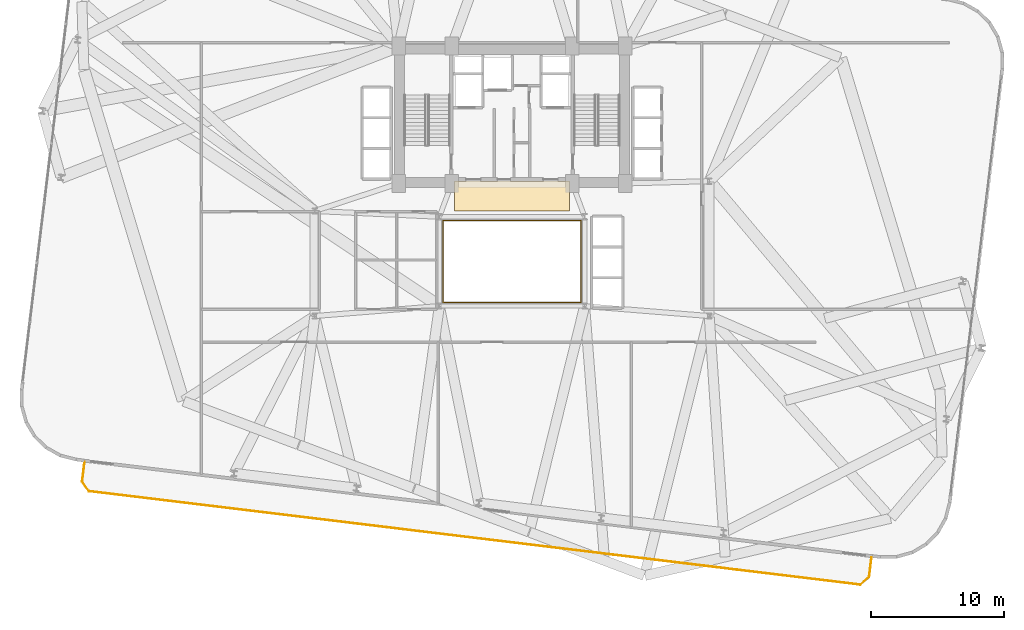
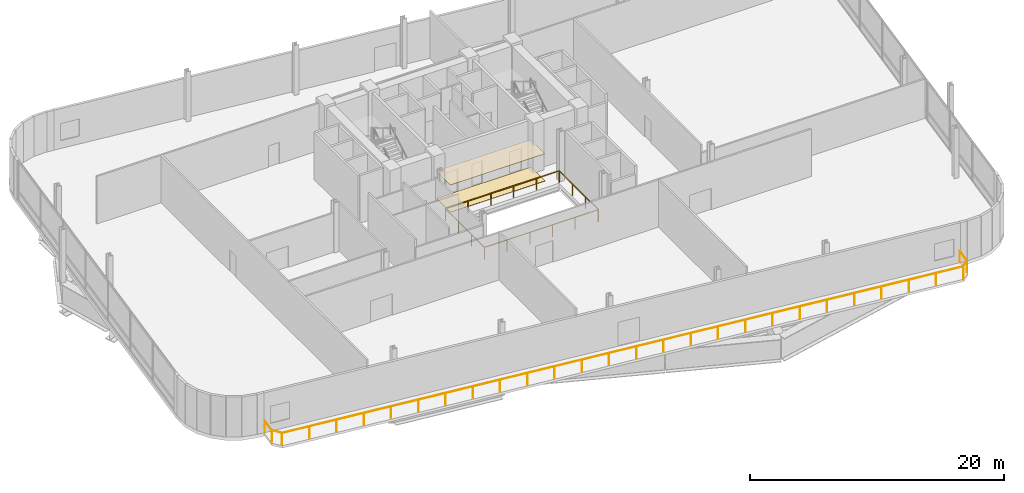
# One storey, part 20 of 22: 3 railings, 2 coverings.
"""IFC4 building model written with IfcOpenShell, lengths in metres."""

from ifc_helpers import new_model, si_unit, direction, frame, origin, origin_2d, place, context, subcontext, project, spatial, rectangle, circle, extrude, source, transform, mapped, material, layer, layer_set, type_object, element, save


model = new_model("IFC4")

# Units and contexts
model_context = context("Model", 3, precision=1e-05, world=origin(), true_north=direction((0.0, 1.0)))
body_context = subcontext(model_context, "Body", "Model", "MODEL_VIEW")
ifc_project = project(units=[si_unit("LENGTHUNIT", "METRE"), si_unit("AREAUNIT", "SQUARE_METRE"), si_unit("VOLUMEUNIT", "CUBIC_METRE"), si_unit("PLANEANGLEUNIT", "RADIAN"), si_unit("MASSUNIT", "GRAM", prefix="KILO")], contexts=[model_context])

# Site, building, storey
site_placement = place(None, origin())
site = spatial("IfcSite", under=ifc_project, at=site_placement, CompositionType="ELEMENT")
building_placement = place(site_placement, origin())
building = spatial("IfcBuilding", under=site, at=building_placement, Name="Varnelok Gate Tower", CompositionType="ELEMENT")
storey_placement = place(building_placement, frame((0.0, 0.0, 116.89990234375)))
storey = spatial("IfcBuildingStorey", under=building, at=storey_placement, Name="L29", CompositionType="ELEMENT", Elevation=116.89990234375)

# Railings
ifc_material_1 = material(Name="Tempered Laminated Balustrade Glass", Category="glass")
railing_type_1 = type_object("IfcRailingType", Name="RL-ATR-GUARD1150", PredefinedType="GUARDRAIL", material=ifc_material_1)
railing_1_placement = place(storey_placement, frame((34.02001953125, 25.929931640625, 0.0)))
element("IfcRailing", 1, at=railing_1_placement, inside=storey, type_object=railing_type_1, Name="L29 Internal Atrium South-West Guardrail", PredefinedType="GUARDRAIL", context=body_context, shape_type="SweptSolid", body=[
    extrude(circle(Radius=0.02392578125, at=origin_2d()), frame((0.0, 0.0, 1.1259765625), z_axis=(0.0, -1.0, 0.0), x_axis=(1.0, 0.0, 0.0)), (0.0, 0.0, 1.0), 6.10986328125),
    extrude(circle(Radius=0.02392578125, at=origin_2d()), frame((0.0, -6.10986328125, 1.1259765625), z_axis=(1.0, 0.0, 0.0), x_axis=(0.0, 1.0, 0.0)), (0.0, 0.0, 1.0), 10.31005859375),
    extrude(circle(Radius=0.02099609375, at=origin_2d()), origin(), (0.0, 0.0, 1.0), 1.101806640625),
    extrude(circle(Radius=0.02099609375, at=origin_2d()), frame((0.0, -2.03662109375, 0.0)), (0.0, 0.0, 1.0), 1.101806640625),
    extrude(circle(Radius=0.02099609375, at=origin_2d()), frame((0.0, -4.0732421875, 0.0)), (0.0, 0.0, 1.0), 1.101806640625),
    extrude(circle(Radius=0.02099609375, at=origin_2d()), frame((0.0, -6.10986328125, 0.0)), (0.0, 0.0, 1.0), 1.101806640625),
    extrude(circle(Radius=0.02099609375, at=origin_2d()), frame((2.06201171875, -6.10986328125, 0.0)), (0.0, 0.0, 1.0), 1.101806640625),
    extrude(circle(Radius=0.02099609375, at=origin_2d()), frame((4.1240234375, -6.10986328125, 0.0)), (0.0, 0.0, 1.0), 1.101806640625),
    extrude(circle(Radius=0.02099609375, at=origin_2d()), frame((6.18603515625, -6.10986328125, 0.0)), (0.0, 0.0, 1.0), 1.101806640625),
    extrude(circle(Radius=0.02099609375, at=origin_2d()), frame((8.248046875, -6.10986328125, 0.0)), (0.0, 0.0, 1.0), 1.101806640625),
    extrude(circle(Radius=0.02099609375, at=origin_2d()), frame((10.31005859375, -6.10986328125, 0.0)), (0.0, 0.0, 1.0), 1.101806640625),
])
railing_2_placement = place(storey_placement, frame((44.3798828125, 19.820068359375, 0.0)))
element("IfcRailing", 2, at=railing_2_placement, inside=storey, type_object=railing_type_1, Name="L29 Internal Atrium North-East Guardrail", PredefinedType="GUARDRAIL", context=body_context, shape_type="SweptSolid", body=[
    extrude(circle(Radius=0.02392578125, at=origin_2d()), frame((0.0, 0.0, 1.1259765625), z_axis=(0.0, 1.0, 0.0), x_axis=(-1.0, 0.0, 0.0)), (0.0, 0.0, 1.0), 6.159912109375),
    extrude(circle(Radius=0.02392578125, at=origin_2d()), frame((0.0, 6.159912109375, 1.1259765625), z_axis=(-1.0, 0.0, 0.0), x_axis=(0.0, -1.0, 0.0)), (0.0, 0.0, 1.0), 10.35986328125),
    extrude(circle(Radius=0.02099609375, at=origin_2d()), origin(), (0.0, 0.0, 1.0), 1.101806640625),
    extrude(circle(Radius=0.02099609375, at=origin_2d()), frame((0.0, 2.05322265625, 0.0)), (0.0, 0.0, 1.0), 1.101806640625),
    extrude(circle(Radius=0.02099609375, at=origin_2d()), frame((0.0, 4.106689453125, 0.0)), (0.0, 0.0, 1.0), 1.101806640625),
    extrude(circle(Radius=0.02099609375, at=origin_2d()), frame((0.0, 6.159912109375, 0.0)), (0.0, 0.0, 1.0), 1.101806640625),
    extrude(circle(Radius=0.02099609375, at=origin_2d()), frame((-2.072021484375, 6.159912109375, 0.0)), (0.0, 0.0, 1.0), 1.101806640625),
    extrude(circle(Radius=0.02099609375, at=origin_2d()), frame((-4.14404296875, 6.159912109375, 0.0)), (0.0, 0.0, 1.0), 1.101806640625),
    extrude(circle(Radius=0.02099609375, at=origin_2d()), frame((-6.2158203125, 6.159912109375, 0.0)), (0.0, 0.0, 1.0), 1.101806640625),
    extrude(circle(Radius=0.02099609375, at=origin_2d()), frame((-8.287841796875, 6.159912109375, 0.0)), (0.0, 0.0, 1.0), 1.101806640625),
    extrude(circle(Radius=0.02099609375, at=origin_2d()), frame((-10.35986328125, 6.159912109375, 0.0)), (0.0, 0.0, 1.0), 1.101806640625),
])
ifc_material_2 = material(Name="Anodized Aluminum Alloy 6063-T6", Category="aluminium")
railing_type_2 = type_object("IfcRailingType", Name="RL-SKYG-1200", PredefinedType="GUARDRAIL", material=ifc_material_2)
railing_3_placement = place(storey_placement, frame((7.124755859375, 7.8330078125, 0.0)))
element("IfcRailing", 3, at=railing_3_placement, inside=storey, type_object=railing_type_2, Name="L29 South Terrace Balustrade 1", PredefinedType="GUARDRAIL", context=body_context, shape_type="SweptSolid", body=[
    extrude(circle(Radius=0.02392578125, at=origin_2d()), frame((0.0, 0.0, 1.17578125), z_axis=(-0.120252002797, -0.992743398781, 0.0), x_axis=(0.992743398781, -0.120252002797, 0.0)), (0.0, 0.0, 1.0), 1.469970703125),
    extrude(circle(Radius=0.02392578125, at=origin_2d()), frame((-0.1767578125, -1.459228515625, 1.17578125), z_axis=(0.577971037086, -0.816057277579, 0.0), x_axis=(0.816057277579, 0.577971037086, 0.0)), (0.0, 0.0, 1.0), 0.877685546875),
    extrude(circle(Radius=0.02392578125, at=origin_2d()), frame((0.33056640625, -2.175537109375, 1.17578125), z_axis=(0.992732175101, -0.120344623972, 0.0), x_axis=(0.120344623972, 0.992732175101, 0.0)), (0.0, 0.0, 1.0), 58.30029296875),
    extrude(circle(Radius=0.02392578125, at=origin_2d()), frame((58.20703125, -9.191650390625, 1.17578125), z_axis=(0.756166036083, 0.654379802465, 0.0), x_axis=(-0.654379802465, 0.756166036083, 0.0)), (0.0, 0.0, 1.0), 0.8779296875),
    extrude(circle(Radius=0.02392578125, at=origin_2d()), frame((58.870849609375, -8.6171875, 1.17578125), z_axis=(0.120415690009, 0.992723557492, 0.0), x_axis=(-0.992723557492, 0.120415690009, 0.0)), (0.0, 0.0, 1.0), 1.469970703125),
    extrude(circle(Radius=0.02099609375, at=origin_2d()), origin(), (0.0, 0.0, 1.0), 1.15185546875),
    extrude(circle(Radius=0.02099609375, at=origin_2d()), frame((-0.1767578125, -1.459228515625, 0.0)), (0.0, 0.0, 1.0), 1.15185546875),
    extrude(circle(Radius=0.02099609375, at=origin_2d()), frame((0.33056640625, -2.175537109375, 0.0)), (0.0, 0.0, 1.0), 1.15185546875),
    extrude(circle(Radius=0.02099609375, at=origin_2d()), frame((2.6455078125, -2.456298828125, 0.0)), (0.0, 0.0, 1.0), 1.15185546875),
    extrude(circle(Radius=0.02099609375, at=origin_2d()), frame((4.960693359375, -2.73681640625, 0.0)), (0.0, 0.0, 1.0), 1.15185546875),
    extrude(circle(Radius=0.02099609375, at=origin_2d()), frame((7.275634765625, -3.017578125, 0.0)), (0.0, 0.0, 1.0), 1.15185546875),
    extrude(circle(Radius=0.02099609375, at=origin_2d()), frame((9.5908203125, -3.298095703125, 0.0)), (0.0, 0.0, 1.0), 1.15185546875),
    extrude(circle(Radius=0.02099609375, at=origin_2d()), frame((11.90576171875, -3.578857421875, 0.0)), (0.0, 0.0, 1.0), 1.15185546875),
    extrude(circle(Radius=0.02099609375, at=origin_2d()), frame((14.220947265625, -3.859375, 0.0)), (0.0, 0.0, 1.0), 1.15185546875),
    extrude(circle(Radius=0.02099609375, at=origin_2d()), frame((16.535888671875, -4.14013671875, 0.0)), (0.0, 0.0, 1.0), 1.15185546875),
    extrude(circle(Radius=0.02099609375, at=origin_2d()), frame((18.85107421875, -4.420654296875, 0.0)), (0.0, 0.0, 1.0), 1.15185546875),
    extrude(circle(Radius=0.02099609375, at=origin_2d()), frame((21.166015625, -4.701416015625, 0.0)), (0.0, 0.0, 1.0), 1.15185546875),
    extrude(circle(Radius=0.02099609375, at=origin_2d()), frame((23.481201171875, -4.98193359375, 0.0)), (0.0, 0.0, 1.0), 1.15185546875),
    extrude(circle(Radius=0.02099609375, at=origin_2d()), frame((25.796142578125, -5.2626953125, 0.0)), (0.0, 0.0, 1.0), 1.15185546875),
    extrude(circle(Radius=0.02099609375, at=origin_2d()), frame((28.111328125, -5.543212890625, 0.0)), (0.0, 0.0, 1.0), 1.15185546875),
    extrude(circle(Radius=0.02099609375, at=origin_2d()), frame((30.42626953125, -5.823974609375, 0.0)), (0.0, 0.0, 1.0), 1.15185546875),
    extrude(circle(Radius=0.02099609375, at=origin_2d()), frame((32.741455078125, -6.1044921875, 0.0)), (0.0, 0.0, 1.0), 1.15185546875),
    extrude(circle(Radius=0.02099609375, at=origin_2d()), frame((35.056396484375, -6.38525390625, 0.0)), (0.0, 0.0, 1.0), 1.15185546875),
    extrude(circle(Radius=0.02099609375, at=origin_2d()), frame((37.37158203125, -6.665771484375, 0.0)), (0.0, 0.0, 1.0), 1.15185546875),
    extrude(circle(Radius=0.02099609375, at=origin_2d()), frame((39.6865234375, -6.946533203125, 0.0)), (0.0, 0.0, 1.0), 1.15185546875),
    extrude(circle(Radius=0.02099609375, at=origin_2d()), frame((42.001708984375, -7.22705078125, 0.0)), (0.0, 0.0, 1.0), 1.15185546875),
    extrude(circle(Radius=0.02099609375, at=origin_2d()), frame((44.316650390625, -7.5078125, 0.0)), (0.0, 0.0, 1.0), 1.15185546875),
    extrude(circle(Radius=0.02099609375, at=origin_2d()), frame((46.6318359375, -7.788330078125, 0.0)), (0.0, 0.0, 1.0), 1.15185546875),
    extrude(circle(Radius=0.02099609375, at=origin_2d()), frame((48.94677734375, -8.069091796875, 0.0)), (0.0, 0.0, 1.0), 1.15185546875),
    extrude(circle(Radius=0.02099609375, at=origin_2d()), frame((51.261962890625, -8.349609375, 0.0)), (0.0, 0.0, 1.0), 1.15185546875),
    extrude(circle(Radius=0.02099609375, at=origin_2d()), frame((53.576904296875, -8.63037109375, 0.0)), (0.0, 0.0, 1.0), 1.15185546875),
    extrude(circle(Radius=0.02099609375, at=origin_2d()), frame((55.89208984375, -8.910888671875, 0.0)), (0.0, 0.0, 1.0), 1.15185546875),
    extrude(circle(Radius=0.02099609375, at=origin_2d()), frame((58.20703125, -9.191650390625, 0.0)), (0.0, 0.0, 1.0), 1.15185546875),
    extrude(circle(Radius=0.02099609375, at=origin_2d()), frame((58.870849609375, -8.6171875, 0.0)), (0.0, 0.0, 1.0), 1.15185546875),
    extrude(circle(Radius=0.02099609375, at=origin_2d()), frame((59.0478515625, -7.157958984375, 0.0)), (0.0, 0.0, 1.0), 1.15185546875),
])

# Coverings
ifc_material_3 = material(Name="Honed Travertine Stone Flooring", Category="masonry")
ifc_layer_1 = layer(ifc_material_3, 0.02490234375)
ifc_layer_set_1 = layer_set([ifc_layer_1], Name="Honed Travertine Stone Flooring")
covering_type_1 = type_object("IfcCoveringType", Name="COV-FLOR-STONE", PredefinedType="FLOORING", material=ifc_layer_set_1)
shared_shape_1 = source(origin(), body_context, "Body", "SweptSolid", [
    extrude(rectangle(XDim=8.60009765625, YDim=2.219970703125, at=origin_2d()), origin(), (0.0, 0.0, 1.0), 0.02490234375),
])
covering_1_placement = place(storey_placement, frame((39.199951171875, 27.800048828125, 0.000244140625), z_axis=(0.0, 0.0, 1.0), x_axis=(1.0, 0.0, 0.0)))
element("IfcCovering", 4, at=covering_1_placement, inside=storey, type_object=covering_type_1, Name="L29 Core Gallery Stone Flooring", PredefinedType="FLOORING", context=body_context, shape_type="MappedRepresentation", body=[
    mapped(shared_shape_1, transform((0.0, 0.0, 0.0), scale=1.0)),
])
ifc_material_4 = material(Name="Mineral Fiber Acoustic Ceiling Tile")
ifc_layer_2 = layer(ifc_material_4, 0.0400390625)
ifc_layer_set_2 = layer_set([ifc_layer_2], Name="Mineral Fiber Acoustic Ceiling Tile")
covering_type_2 = type_object("IfcCoveringType", Name="COV-CEIL-ACOUST", PredefinedType="CEILING", material=ifc_layer_set_2)
shared_shape_2 = source(origin(), body_context, "Body", "SweptSolid", [
    extrude(rectangle(XDim=8.60009765625, YDim=2.239990234375, at=origin_2d()), origin(), (0.0, 0.0, 1.0), 0.0400390625),
])
covering_2_placement = place(storey_placement, frame((39.199951171875, 27.820068359375, 2.60009765625), z_axis=(0.0, 0.0, 1.0), x_axis=(1.0, 0.0, 0.0)))
element("IfcCovering", 5, at=covering_2_placement, inside=storey, type_object=covering_type_2, Name="L29 Core Gallery Acoustic Ceiling", PredefinedType="CEILING", context=body_context, shape_type="MappedRepresentation", body=[
    mapped(shared_shape_2, transform((0.0, 0.0, 0.0), scale=1.0)),
])

save(model, "model.ifc")
